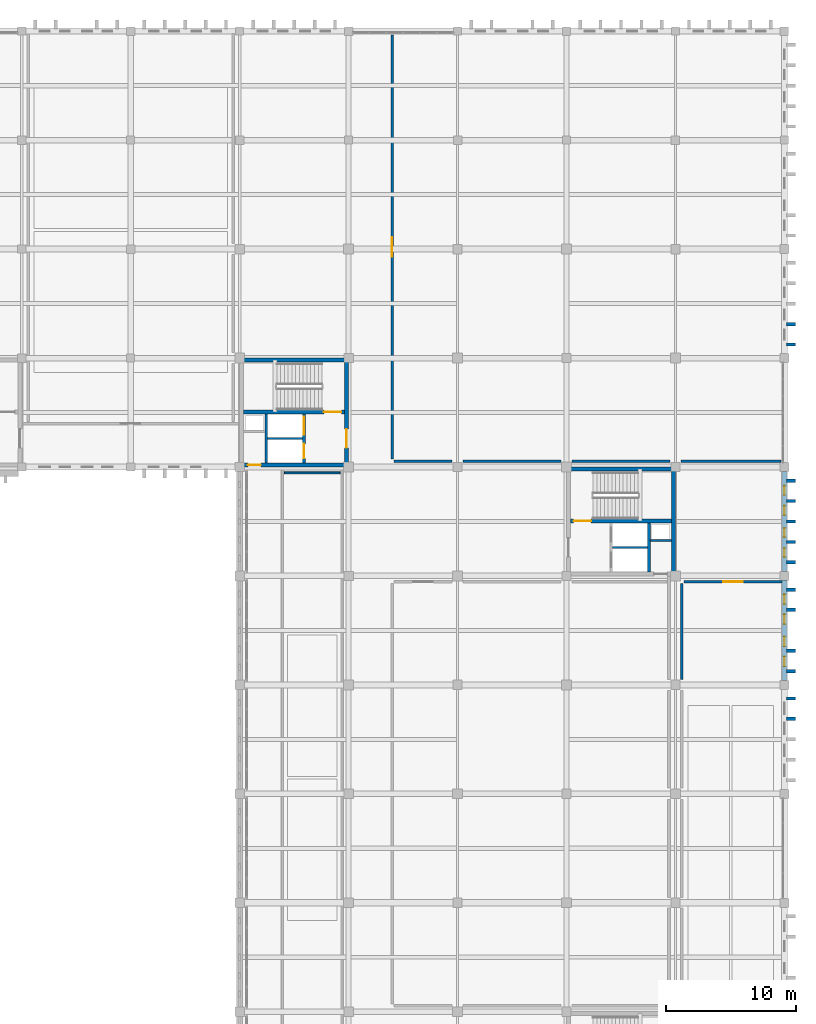
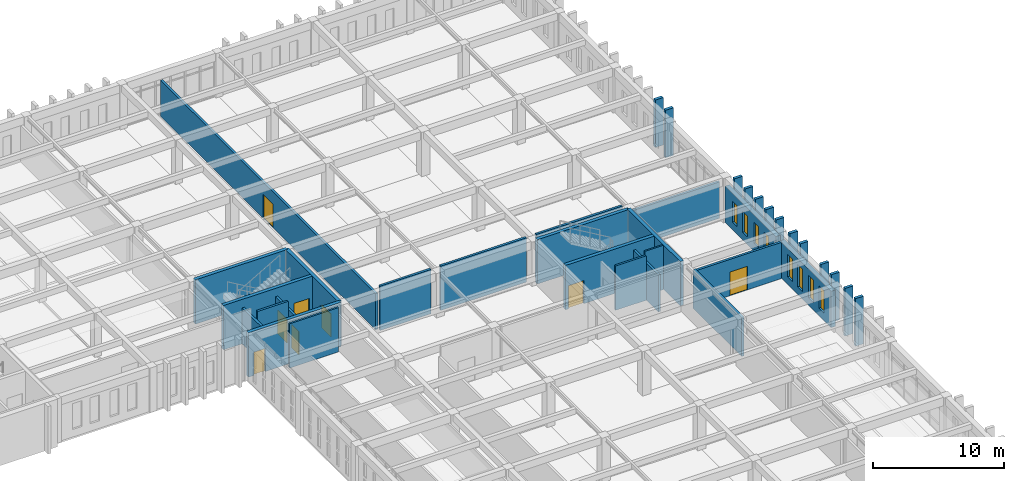
# One storey, part 178 of 192: 36 walls, 8 doors, 8 windows, 16 openings.
"""IFC4 building model written with IfcOpenShell, lengths in metres."""

from ifc_helpers import new_model, si_unit, direction, frame, frame_2d, origin, place, context, subcontext, project, spatial, rectangle, extrude, material, layer, layer_set, type_object, element, fill, save


model = new_model("IFC4")

# Units and contexts
model_context = context("Model", 3, precision=1e-05, world=origin(), true_north=direction((0.0, 1.0)))
body_context = subcontext(model_context, "Body", "Model", "MODEL_VIEW")
ifc_project = project(units=[si_unit("LENGTHUNIT", "METRE"), si_unit("AREAUNIT", "SQUARE_METRE"), si_unit("VOLUMEUNIT", "CUBIC_METRE"), si_unit("PLANEANGLEUNIT", "RADIAN"), si_unit("MASSUNIT", "GRAM", prefix="KILO")], contexts=[model_context])

# Site, building, storey
site_placement = place(None, origin())
site = spatial("IfcSite", under=ifc_project, at=site_placement, CompositionType="ELEMENT")
building_placement = place(site_placement, origin())
building = spatial("IfcBuilding", under=site, at=building_placement, Name="Kveldsbrygga Polytechnic", CompositionType="ELEMENT")
storey_placement = place(building_placement, frame((0.0, 0.0, 5.43994140625)))
storey = spatial("IfcBuildingStorey", under=building, at=storey_placement, Name="L01", CompositionType="ELEMENT", Elevation=5.43994140625)

# Wall, openings, windows
ifc_material_1 = material(Name="Fired clay brick masonry M10", Category="masonry")
ifc_layer_1 = layer(ifc_material_1, 0.3798828125)
ifc_layer_set_1 = layer_set([ifc_layer_1], Name="Fired clay brick masonry M10")
wall_type_1 = type_object("IfcWallType", Name="EW-BRICK-380", PredefinedType="SOLIDWALL", material=ifc_layer_set_1)
wall_1_placement = place(storey_placement, frame((168.0, 75.925048828125, 0.0), z_axis=(0.0, 0.0, 1.0), x_axis=(0.0, 1.0, 0.0)))
wall_1 = element("IfcWall", 1, at=wall_1_placement, inside=storey, type_object=wall_type_1, Name="Exterior Brick Wall EW-L01-Y-20-09", PredefinedType="SOLIDWALL", context=body_context, shape_type="SweptSolid", body=[
    extrude(rectangle(XDim=7.739990234375, YDim=0.3798828125, at=frame_2d((3.8701171875, 0.0))), origin(), (0.0, 0.0, 1.0), 3.3701171875),
])
opening_1_placement = place(wall_1_placement, frame((1.12060546875, 0.0, 0.699951171875)))
opening_1 = element("IfcOpeningElement", 2, at=opening_1_placement, cuts=wall_1, Name="Opening W-28", PredefinedType="OPENING", context=body_context, shape_type="SweptSolid", body=[
    extrude(rectangle(XDim=0.699951171875, YDim=1.949951171875, at=frame_2d((0.35009765625, 0.97509765625))), frame((0.0, 0.199951171875, 0.0), z_axis=(0.0, -1.0, 0.0), x_axis=(1.0, 0.0, 0.0)), (0.0, 0.0, 1.0), 0.39990234375),
])
opening_2_placement = place(wall_1_placement, frame((2.668701171875, 0.0, 0.699951171875)))
opening_2 = element("IfcOpeningElement", 3, at=opening_2_placement, cuts=wall_1, Name="Opening W-28", PredefinedType="OPENING", context=body_context, shape_type="SweptSolid", body=[
    extrude(rectangle(XDim=0.699951171875, YDim=1.949951171875, at=frame_2d((0.35009765625, 0.97509765625))), frame((0.0, 0.199951171875, 0.0), z_axis=(0.0, -1.0, 0.0), x_axis=(1.0, 0.0, 0.0)), (0.0, 0.0, 1.0), 0.39990234375),
])
opening_3_placement = place(wall_1_placement, frame((4.371337890625, 0.0, 0.699951171875)))
opening_3 = element("IfcOpeningElement", 4, at=opening_3_placement, cuts=wall_1, Name="Opening W-28", PredefinedType="OPENING", context=body_context, shape_type="SweptSolid", body=[
    extrude(rectangle(XDim=0.699951171875, YDim=1.949951171875, at=frame_2d((0.35009765625, 0.97509765625))), frame((0.0, 0.199951171875, 0.0), z_axis=(0.0, -1.0, 0.0), x_axis=(1.0, 0.0, 0.0)), (0.0, 0.0, 1.0), 0.39990234375),
])
opening_4_placement = place(wall_1_placement, frame((5.91943359375, 0.0, 0.699951171875)))
opening_4 = element("IfcOpeningElement", 5, at=opening_4_placement, cuts=wall_1, Name="Opening W-28", PredefinedType="OPENING", context=body_context, shape_type="SweptSolid", body=[
    extrude(rectangle(XDim=0.699951171875, YDim=1.949951171875, at=frame_2d((0.35009765625, 0.97509765625))), frame((0.0, 0.199951171875, 0.0), z_axis=(0.0, -1.0, 0.0), x_axis=(1.0, 0.0, 0.0)), (0.0, 0.0, 1.0), 0.39990234375),
])
ifc_material_2 = material(Name="Insulated triple low-E glass", Category="glass")
window_type_1 = type_object("IfcWindowType", Name="WN-ATTIC-070x195", PartitioningType="DOUBLE_PANEL_VERTICAL", PredefinedType="WINDOW", material=ifc_material_2)
window_1_placement = place(opening_1_placement, origin())
window_1 = element("IfcWindow", 6, at=window_1_placement, inside=storey, type_object=window_type_1, Name="Gothic Lancet Window WIN-L01-Y-20-09-1", OverallHeight=1.949951171875, OverallWidth=0.699951171875, PartitioningType="DOUBLE_PANEL_VERTICAL", PredefinedType="WINDOW", context=body_context, shape_type="SweptSolid", body=[
    extrude(rectangle(XDim=0.699951171875, YDim=1.949951171875, at=frame_2d((0.35009765625, 0.97509765625))), frame((0.0, 0.030029296875, 0.0), z_axis=(0.0, -1.0, 0.0), x_axis=(1.0, 0.0, 0.0)), (0.0, 0.0, 1.0), 0.06005859375),
])
fill(opening_1, window_1)
window_2_placement = place(opening_2_placement, origin())
window_2 = element("IfcWindow", 7, at=window_2_placement, inside=storey, type_object=window_type_1, Name="Gothic Lancet Window WIN-L01-Y-20-09-2", OverallHeight=1.949951171875, OverallWidth=0.699951171875, PartitioningType="DOUBLE_PANEL_VERTICAL", PredefinedType="WINDOW", context=body_context, shape_type="SweptSolid", body=[
    extrude(rectangle(XDim=0.699951171875, YDim=1.949951171875, at=frame_2d((0.35009765625, 0.97509765625))), frame((0.0, 0.030029296875, 0.0), z_axis=(0.0, -1.0, 0.0), x_axis=(1.0, 0.0, 0.0)), (0.0, 0.0, 1.0), 0.06005859375),
])
fill(opening_2, window_2)
window_3_placement = place(opening_3_placement, origin())
window_3 = element("IfcWindow", 8, at=window_3_placement, inside=storey, type_object=window_type_1, Name="Gothic Lancet Window WIN-L01-Y-20-09-3", OverallHeight=1.949951171875, OverallWidth=0.699951171875, PartitioningType="DOUBLE_PANEL_VERTICAL", PredefinedType="WINDOW", context=body_context, shape_type="SweptSolid", body=[
    extrude(rectangle(XDim=0.699951171875, YDim=1.949951171875, at=frame_2d((0.35009765625, 0.97509765625))), frame((0.0, 0.030029296875, 0.0), z_axis=(0.0, -1.0, 0.0), x_axis=(1.0, 0.0, 0.0)), (0.0, 0.0, 1.0), 0.06005859375),
])
fill(opening_3, window_3)
window_4_placement = place(opening_4_placement, origin())
window_4 = element("IfcWindow", 9, at=window_4_placement, inside=storey, type_object=window_type_1, Name="Gothic Lancet Window WIN-L01-Y-20-09-4", OverallHeight=1.949951171875, OverallWidth=0.699951171875, PartitioningType="DOUBLE_PANEL_VERTICAL", PredefinedType="WINDOW", context=body_context, shape_type="SweptSolid", body=[
    extrude(rectangle(XDim=0.699951171875, YDim=1.949951171875, at=frame_2d((0.35009765625, 0.97509765625))), frame((0.0, 0.030029296875, 0.0), z_axis=(0.0, -1.0, 0.0), x_axis=(1.0, 0.0, 0.0)), (0.0, 0.0, 1.0), 0.06005859375),
])
fill(opening_4, window_4)

ifc_layer_2 = layer(ifc_material_1, 0.39990234375)
ifc_layer_set_2 = layer_set([ifc_layer_2], Name="Fired clay brick masonry M10")
wall_type_2 = type_object("IfcWallType", Name="EW-BRICK-400", PredefinedType="SOLIDWALL", material=ifc_layer_set_2)
wall_2_placement = place(storey_placement, frame((168.0, 67.534912109375, 0.0), z_axis=(0.0, 0.0, 1.0), x_axis=(0.0, 1.0, 0.0)))
wall_2 = element("IfcWall", 10, at=wall_2_placement, inside=storey, type_object=wall_type_2, Name="Exterior Brick Wall EW-L01-Y-20-08", PredefinedType="SOLIDWALL", context=body_context, shape_type="SweptSolid", body=[
    extrude(rectangle(XDim=7.739990234375, YDim=0.39990234375, at=frame_2d((3.8701171875, 0.0))), origin(), (0.0, 0.0, 1.0), 3.3701171875),
])
opening_5_placement = place(wall_2_placement, frame((1.095703125, 0.0, 0.699951171875)))
opening_5 = element("IfcOpeningElement", 11, at=opening_5_placement, cuts=wall_2, Name="Opening W-27", PredefinedType="OPENING", context=body_context, shape_type="SweptSolid", body=[
    extrude(rectangle(XDim=0.75, YDim=2.10009765625, at=frame_2d((0.375, 1.050048828125))), frame((0.0, 0.2099609375, 0.0), z_axis=(0.0, -1.0, 0.0), x_axis=(1.0, 0.0, 0.0)), (0.0, 0.0, 1.0), 0.419921875),
])
opening_6_placement = place(wall_2_placement, frame((2.6435546875, 0.0, 0.699951171875)))
opening_6 = element("IfcOpeningElement", 12, at=opening_6_placement, cuts=wall_2, Name="Opening W-27", PredefinedType="OPENING", context=body_context, shape_type="SweptSolid", body=[
    extrude(rectangle(XDim=0.75, YDim=2.10009765625, at=frame_2d((0.375, 1.050048828125))), frame((0.0, 0.2099609375, 0.0), z_axis=(0.0, -1.0, 0.0), x_axis=(1.0, 0.0, 0.0)), (0.0, 0.0, 1.0), 0.419921875),
])
opening_7_placement = place(wall_2_placement, frame((4.346435546875, 0.0, 0.699951171875)))
opening_7 = element("IfcOpeningElement", 13, at=opening_7_placement, cuts=wall_2, Name="Opening W-27", PredefinedType="OPENING", context=body_context, shape_type="SweptSolid", body=[
    extrude(rectangle(XDim=0.75, YDim=2.10009765625, at=frame_2d((0.375, 1.050048828125))), frame((0.0, 0.2099609375, 0.0), z_axis=(0.0, -1.0, 0.0), x_axis=(1.0, 0.0, 0.0)), (0.0, 0.0, 1.0), 0.419921875),
])
opening_8_placement = place(wall_2_placement, frame((5.894287109375, 0.0, 0.699951171875)))
opening_8 = element("IfcOpeningElement", 14, at=opening_8_placement, cuts=wall_2, Name="Opening W-27", PredefinedType="OPENING", context=body_context, shape_type="SweptSolid", body=[
    extrude(rectangle(XDim=0.75, YDim=2.10009765625, at=frame_2d((0.375, 1.050048828125))), frame((0.0, 0.2099609375, 0.0), z_axis=(0.0, -1.0, 0.0), x_axis=(1.0, 0.0, 0.0)), (0.0, 0.0, 1.0), 0.419921875),
])
window_type_2 = type_object("IfcWindowType", Name="WN-ATTIC-075x210", PartitioningType="DOUBLE_PANEL_VERTICAL", PredefinedType="WINDOW", material=ifc_material_2)
window_5_placement = place(opening_5_placement, origin())
window_5 = element("IfcWindow", 15, at=window_5_placement, inside=storey, type_object=window_type_2, Name="Gothic Lancet Window WIN-L01-Y-20-08-1", OverallHeight=2.10009765625, OverallWidth=0.75, PartitioningType="DOUBLE_PANEL_VERTICAL", PredefinedType="WINDOW", context=body_context, shape_type="SweptSolid", body=[
    extrude(rectangle(XDim=0.75, YDim=2.10009765625, at=frame_2d((0.375, 1.050048828125))), frame((0.0, 0.030029296875, 0.0), z_axis=(0.0, -1.0, 0.0), x_axis=(1.0, 0.0, 0.0)), (0.0, 0.0, 1.0), 0.06005859375),
])
fill(opening_5, window_5)
window_6_placement = place(opening_6_placement, origin())
window_6 = element("IfcWindow", 16, at=window_6_placement, inside=storey, type_object=window_type_2, Name="Gothic Lancet Window WIN-L01-Y-20-08-2", OverallHeight=2.10009765625, OverallWidth=0.75, PartitioningType="DOUBLE_PANEL_VERTICAL", PredefinedType="WINDOW", context=body_context, shape_type="SweptSolid", body=[
    extrude(rectangle(XDim=0.75, YDim=2.10009765625, at=frame_2d((0.375, 1.050048828125))), frame((0.0, 0.030029296875, 0.0), z_axis=(0.0, -1.0, 0.0), x_axis=(1.0, 0.0, 0.0)), (0.0, 0.0, 1.0), 0.06005859375),
])
fill(opening_6, window_6)
window_7_placement = place(opening_7_placement, origin())
window_7 = element("IfcWindow", 17, at=window_7_placement, inside=storey, type_object=window_type_2, Name="Gothic Lancet Window WIN-L01-Y-20-08-3", OverallHeight=2.10009765625, OverallWidth=0.75, PartitioningType="DOUBLE_PANEL_VERTICAL", PredefinedType="WINDOW", context=body_context, shape_type="SweptSolid", body=[
    extrude(rectangle(XDim=0.75, YDim=2.10009765625, at=frame_2d((0.375, 1.050048828125))), frame((0.0, 0.030029296875, 0.0), z_axis=(0.0, -1.0, 0.0), x_axis=(1.0, 0.0, 0.0)), (0.0, 0.0, 1.0), 0.06005859375),
])
fill(opening_7, window_7)
window_8_placement = place(opening_8_placement, origin())
window_8 = element("IfcWindow", 18, at=window_8_placement, inside=storey, type_object=window_type_2, Name="Gothic Lancet Window WIN-L01-Y-20-08-4", OverallHeight=2.10009765625, OverallWidth=0.75, PartitioningType="DOUBLE_PANEL_VERTICAL", PredefinedType="WINDOW", context=body_context, shape_type="SweptSolid", body=[
    extrude(rectangle(XDim=0.75, YDim=2.10009765625, at=frame_2d((0.375, 1.050048828125))), frame((0.0, 0.030029296875, 0.0), z_axis=(0.0, -1.0, 0.0), x_axis=(1.0, 0.0, 0.0)), (0.0, 0.0, 1.0), 0.06005859375),
])
fill(opening_8, window_8)

# Walls
ifc_layer_3 = layer(ifc_material_1, 0.260009765625)
ifc_layer_set_3 = layer_set([ifc_layer_3], Name="Fired clay brick masonry M10")
wall_type_3 = type_object("IfcWallType", Name="EW-BUTT-260", PredefinedType="SOLIDWALL", material=ifc_layer_set_3)
for number, where, z_axis, x_axis, name in (
    (19, (168.1650390625, 64.580078125, 0.0), (0.0, 0.0, 1.0), (1.0, 0.0, 0.0), "Gothic Brick Buttress Pier BUTT-L01-Y-20-07-4"),
    (20, (168.1650390625, 66.14990234375, 0.0), (0.0, 0.0, 1.0), (1.0, 0.0, 0.0), "Gothic Brick Buttress Pier BUTT-L01-Y-20-07-5"),
    (21, (168.1650390625, 68.25, 0.0), (0.0, 0.0, 1.0), (1.0, 0.0, 0.0), "Gothic Brick Buttress Pier BUTT-L01-Y-20-08-1"),
    (22, (168.1650390625, 69.820068359375, 0.0), (0.0, 0.0, 1.0), (1.0, 0.0, 0.0), "Gothic Brick Buttress Pier BUTT-L01-Y-20-08-2"),
    (23, (168.1650390625, 72.97998046875, 0.0), (0.0, 0.0, 1.0), (1.0, 0.0, 0.0), "Gothic Brick Buttress Pier BUTT-L01-Y-20-08-4"),
    (24, (168.1650390625, 74.550048828125, 0.0), (0.0, 0.0, 1.0), (1.0, 0.0, 0.0), "Gothic Brick Buttress Pier BUTT-L01-Y-20-08-5"),
    (25, (168.1650390625, 76.64990234375, 0.0), (0.0, 0.0, 1.0), (1.0, 0.0, 0.0), "Gothic Brick Buttress Pier BUTT-L01-Y-20-09-1"),
    (26, (168.1650390625, 78.219970703125, 0.0), (0.0, 0.0, 1.0), (1.0, 0.0, 0.0), "Gothic Brick Buttress Pier BUTT-L01-Y-20-09-2"),
    (27, (168.1650390625, 79.800048828125, 0.0), (0.0, 0.0, 1.0), (1.0, 0.0, 0.0), "Gothic Brick Buttress Pier BUTT-L01-Y-20-09-3"),
    (28, (168.1650390625, 81.3798828125, 0.0), (0.0, 0.0, 1.0), (1.0, 0.0, 0.0), "Gothic Brick Buttress Pier BUTT-L01-Y-20-09-4"),
    (29, (168.1650390625, 82.949951171875, 0.0), (0.0, 0.0, 1.0), (1.0, 0.0, 0.0), "Gothic Brick Buttress Pier BUTT-L01-Y-20-09-5"),
    (30, (168.1650390625, 93.449951171875, 0.0), (0.0, 0.0, 1.0), (1.0, 0.0, 0.0), "Gothic Brick Buttress Pier BUTT-L01-Y-20-11-1"),
    (31, (168.1650390625, 95.02001953125, 0.0), (0.0, 0.0, 1.0), (1.0, 0.0, 0.0), "Gothic Brick Buttress Pier BUTT-L01-Y-20-11-2"),
):
    element("IfcWall", number, at=place(storey_placement, frame(where, z_axis=z_axis, x_axis=x_axis)), inside=storey, type_object=wall_type_3, Name=name, PredefinedType="SOLIDWALL", context=body_context, shape_type="SweptSolid", body=[
        extrude(rectangle(XDim=0.699951171875, YDim=0.260009765625, at=frame_2d((0.35009765625, 0.0))), origin(), (0.0, 0.0, 1.0), 4.420166015625),
    ])

# Wall, opening, door
ifc_layer_4 = layer(ifc_material_1, 0.199951171875)
ifc_layer_set_4 = layer_set([ifc_layer_4], Name="Fired clay brick masonry M10")
wall_type_4 = type_object("IfcWallType", Name="IW-LAB-200", PredefinedType="PARTITIONING", material=ifc_layer_set_4)
wall_3_placement = place(storey_placement, frame((160.25, 75.14990234375, 0.0), z_axis=(0.0, 0.0, 1.0), x_axis=(1.0, 0.0, 0.0)))
wall_3 = element("IfcWall", 32, at=wall_3_placement, inside=storey, type_object=wall_type_4, Name="Partition Wall IW-SP-L01-LAB12-N1", PredefinedType="PARTITIONING", context=body_context, shape_type="SweptSolid", body=[
    extrude(rectangle(XDim=7.570068359375, YDim=0.199951171875, at=frame_2d((3.78515625, 0.0))), origin(), (0.0, 0.0, 1.0), 3.3701171875),
])
opening_9_placement = place(wall_3_placement, frame((3.034912109375, 0.0, 0.0)))
opening_9 = element("IfcOpeningElement", 33, at=opening_9_placement, cuts=wall_3, Name="Opening ID-L01-055", PredefinedType="OPENING", context=body_context, shape_type="SweptSolid", body=[
    extrude(rectangle(XDim=1.5, YDim=2.199951171875, at=frame_2d((0.75, 1.10009765625))), frame((0.0, 0.10986328125, 0.0), z_axis=(0.0, -1.0, 0.0), x_axis=(1.0, 0.0, 0.0)), (0.0, 0.0, 1.0), 0.219970703125),
])
ifc_material_3 = material(Name="Acoustic oak timber", Category="wood")
door_type_1 = type_object("IfcDoorType", Name="ID-LAB-150x220", OperationType="DOUBLE_DOOR_SINGLE_SWING", PredefinedType="DOOR", material=ifc_material_3)
door_1_placement = place(opening_9_placement, origin())
door_1 = element("IfcDoor", 34, at=door_1_placement, inside=storey, type_object=door_type_1, Name="Interior Door ID-L01-055", OperationType="DOUBLE_DOOR_SINGLE_SWING", OverallHeight=2.199951171875, OverallWidth=1.5, PredefinedType="DOOR", context=body_context, shape_type="SweptSolid", body=[
    extrude(rectangle(XDim=1.5, YDim=2.199951171875, at=frame_2d((0.75, 1.10009765625))), frame((0.0, 0.02490234375, 0.0), z_axis=(0.0, -1.0, 0.0), x_axis=(1.0, 0.0, 0.0)), (0.0, 0.0, 1.0), 0.050048828125),
])
fill(opening_9, door_1)

# Wall
wall_4_placement = place(storey_placement, frame((160.10009765625, 67.6201171875, 0.0), z_axis=(0.0, 0.0, 1.0), x_axis=(0.0, 1.0, 0.0)))
element("IfcWall", 35, at=wall_4_placement, inside=storey, type_object=wall_type_4, Name="Partition Wall IW-SP-L01-LAB12-W5", PredefinedType="PARTITIONING", context=body_context, shape_type="SweptSolid", body=[
    extrude(rectangle(XDim=7.3798828125, YDim=0.199951171875, at=frame_2d((3.68994140625, 0.0))), origin(), (0.0, 0.0, 1.0), 3.6201171875),
])

# Wall, opening, door
wall_5_placement = place(storey_placement, frame((137.75, 84.60009765625, 0.0), z_axis=(0.0, 0.0, 1.0), x_axis=(0.0, 1.0, 0.0)))
wall_5 = element("IfcWall", 36, at=wall_5_placement, inside=storey, type_object=wall_type_4, Name="Partition Wall IW-SP-L01-LAB13-W1", PredefinedType="PARTITIONING", context=body_context, shape_type="SweptSolid", body=[
    extrude(rectangle(XDim=32.719970703125, YDim=0.199951171875, at=frame_2d((16.35986328125, 0.0))), origin(), (0.0, 0.0, 1.0), 3.340087890625),
])
opening_10_placement = place(wall_5_placement, frame((15.610107421875, 0.0, 0.0)))
opening_10 = element("IfcOpeningElement", 37, at=opening_10_placement, cuts=wall_5, Name="Opening ID-L01-057", PredefinedType="OPENING", context=body_context, shape_type="SweptSolid", body=[
    extrude(rectangle(XDim=1.5, YDim=2.199951171875, at=frame_2d((0.75, 1.10009765625))), frame((0.0, 0.10986328125, 0.0), z_axis=(0.0, -1.0, 0.0), x_axis=(1.0, 0.0, 0.0)), (0.0, 0.0, 1.0), 0.219970703125),
])
door_2_placement = place(opening_10_placement, origin())
door_2 = element("IfcDoor", 38, at=door_2_placement, inside=storey, type_object=door_type_1, Name="Interior Door ID-L01-057", OperationType="DOUBLE_DOOR_SINGLE_SWING", OverallHeight=2.199951171875, OverallWidth=1.5, PredefinedType="DOOR", context=body_context, shape_type="SweptSolid", body=[
    extrude(rectangle(XDim=1.5, YDim=2.199951171875, at=frame_2d((0.75, 1.10009765625))), frame((0.0, 0.02490234375, 0.0), z_axis=(0.0, -1.0, 0.0), x_axis=(1.0, 0.0, 0.0)), (0.0, 0.0, 1.0), 0.050048828125),
])
fill(opening_10, door_2)

# Walls
wall_6_placement = place(storey_placement, frame((137.89990234375, 84.449951171875, 0.0), z_axis=(0.0, 0.0, 1.0), x_axis=(1.0, 0.0, 0.0)))
element("IfcWall", 39, at=wall_6_placement, inside=storey, type_object=wall_type_4, Name="Partition Wall IW-SP-L01-LAB13-S1", PredefinedType="PARTITIONING", context=body_context, shape_type="SweptSolid", body=[
    extrude(rectangle(XDim=4.47998046875, YDim=0.199951171875, at=frame_2d((2.239990234375, 0.0))), origin(), (0.0, 0.0, 1.0), 4.1201171875),
])
for number, where, z_axis, x_axis, name in (
    (40, (143.219970703125, 84.449951171875, 0.0), (0.0, 0.0, 1.0), (1.0, 0.0, 0.0), "Partition Wall IW-SP-L01-LAB13-S2"),
    (41, (151.635009765625, 84.449951171875, 0.0), (0.0, 0.0, 1.0), (1.0, 0.0, 0.0), "Partition Wall IW-SP-L01-LAB13-S3"),
):
    element("IfcWall", number, at=place(storey_placement, frame(where, z_axis=z_axis, x_axis=x_axis)), inside=storey, type_object=wall_type_4, Name=name, PredefinedType="PARTITIONING", context=body_context, shape_type="SweptSolid", body=[
        extrude(rectangle(XDim=7.544921875, YDim=0.199951171875, at=frame_2d((3.7724609375, 0.0))), origin(), (0.0, 0.0, 1.0), 4.1201171875),
    ])
wall_7_placement = place(storey_placement, frame((160.02001953125, 84.449951171875, 0.0), z_axis=(0.0, 0.0, 1.0), x_axis=(1.0, 0.0, 0.0)))
element("IfcWall", 42, at=wall_7_placement, inside=storey, type_object=wall_type_4, Name="Partition Wall IW-SP-L01-LAB13-S4", PredefinedType="PARTITIONING", context=body_context, shape_type="SweptSolid", body=[
    extrude(rectangle(XDim=7.699951171875, YDim=0.199951171875, at=frame_2d((3.85009765625, 0.0))), origin(), (0.0, 0.0, 1.0), 3.3701171875),
])
ifc_material_4 = material(Name="Moisture-resistant masonry M10", Category="masonry")
ifc_layer_5 = layer(ifc_material_4, 0.1298828125)
ifc_layer_set_5 = layer_set([ifc_layer_5], Name="Moisture-resistant masonry M10")
wall_type_5 = type_object("IfcWallType", Name="IW-SAN-130", PredefinedType="PARTITIONING", material=ifc_layer_set_5)
wall_8_placement = place(storey_placement, frame((157.659912109375, 78.340087890625, 0.0), z_axis=(0.0, 0.0, 1.0), x_axis=(1.0, 0.0, 0.0)))
element("IfcWall", 43, at=wall_8_placement, inside=storey, type_object=wall_type_5, Name="Core AWC Divider C4-L01-W-RSR", PredefinedType="PARTITIONING", context=body_context, shape_type="SweptSolid", body=[
    extrude(rectangle(XDim=1.6201171875, YDim=0.1298828125, at=frame_2d((0.81005859375, 0.0))), origin(), (0.0, 0.0, 1.0), 4.1201171875),
])
ifc_material_5 = material(Name="Gypsum acoustic stud partition")
ifc_layer_6 = layer(ifc_material_5, 0.14990234375)
ifc_layer_set_6 = layer_set([ifc_layer_6], Name="Gypsum acoustic stud partition")
wall_type_6 = type_object("IfcWallType", Name="IW-SEM-150", PredefinedType="PARTITIONING", material=ifc_layer_set_6)
wall_9_placement = place(storey_placement, frame((129.449951171875, 83.550048828125, 0.0), z_axis=(0.0, 0.0, 1.0), x_axis=(1.0, 0.0, 0.0)))
element("IfcWall", 44, at=wall_9_placement, inside=storey, type_object=wall_type_6, Name="Partition Wall IW-SP-L01-SEM13-N1", PredefinedType="PARTITIONING", context=body_context, shape_type="SweptSolid", body=[
    extrude(rectangle(XDim=4.300048828125, YDim=0.14990234375, at=frame_2d((2.14990234375, 0.0))), origin(), (0.0, 0.0, 1.0), 4.1201171875),
])

# Wall, opening, door
ifc_material_6 = material(Name="Concrete C45/55", Category="concrete")
ifc_layer_7 = layer(ifc_material_6, 0.300048828125)
ifc_layer_set_7 = layer_set([ifc_layer_7], Name="Concrete C45/55")
wall_type_7 = type_object("IfcWallType", Name="WL-CORE-300", PredefinedType="SHEAR", material=ifc_layer_set_7)
wall_10_placement = place(storey_placement, frame((126.14990234375, 84.14990234375, 0.0), z_axis=(0.0, 0.0, 1.0), x_axis=(1.0, 0.0, 0.0)))
wall_10 = element("IfcWall", 45, at=wall_10_placement, inside=storey, type_object=wall_type_7, Name="Core C2 Shear Wall C2-L01-SW-S", PredefinedType="SHEAR", context=body_context, shape_type="SweptSolid", body=[
    extrude(rectangle(XDim=8.10009765625, YDim=0.300048828125, at=frame_2d((4.050048828125, 0.0))), origin(), (0.0, 0.0, 1.0), 4.1201171875),
])
opening_11_placement = place(wall_10_placement, frame((0.485107421875, 0.0, 0.0)))
opening_11 = element("IfcOpeningElement", 46, at=opening_11_placement, cuts=wall_10, Name="Opening ID-C2-L01-AWC", PredefinedType="OPENING", context=body_context, shape_type="SweptSolid", body=[
    extrude(rectangle(XDim=1.0, YDim=2.14990234375, at=frame_2d((0.5, 1.074951171875))), frame((0.0, 0.16015625, 0.0), z_axis=(0.0, -1.0, 0.0), x_axis=(1.0, 0.0, 0.0)), (0.0, 0.0, 1.0), 0.320068359375),
])
door_type_2 = type_object("IfcDoorType", Name="ID-AWC-100x215", OperationType="NOTDEFINED", PredefinedType="DOOR", material=ifc_material_3)
door_3_placement = place(opening_11_placement, origin())
door_3 = element("IfcDoor", 47, at=door_3_placement, inside=storey, type_object=door_type_2, Name="Accessible WC Door ID-C2-L01-AWC", OperationType="SINGLE_SWING_RIGHT", OverallHeight=2.14990234375, OverallWidth=1.0, PredefinedType="DOOR", context=body_context, shape_type="SweptSolid", body=[
    extrude(rectangle(XDim=1.0, YDim=2.14990234375, at=frame_2d((0.5, 1.074951171875))), frame((0.0, 0.02490234375, 0.0), z_axis=(0.0, -1.0, 0.0), x_axis=(1.0, 0.0, 0.0)), (0.0, 0.0, 1.0), 0.050048828125),
])
fill(opening_11, door_3)

# Wall
wall_11_placement = place(storey_placement, frame((126.14990234375, 92.25, 0.0), z_axis=(0.0, 0.0, 1.0), x_axis=(1.0, 0.0, 0.0)))
element("IfcWall", 48, at=wall_11_placement, inside=storey, type_object=wall_type_7, Name="Core C2 Shear Wall C2-L01-SW-N", PredefinedType="SHEAR", context=body_context, shape_type="SweptSolid", body=[
    extrude(rectangle(XDim=8.10009765625, YDim=0.300048828125, at=frame_2d((4.050048828125, 0.0))), origin(), (0.0, 0.0, 1.0), 4.1201171875),
])

# Wall, opening, door
wall_12_placement = place(storey_placement, frame((134.25, 84.14990234375, 0.0), z_axis=(0.0, 0.0, 1.0), x_axis=(0.0, 1.0, 0.0)))
wall_12 = element("IfcWall", 49, at=wall_12_placement, inside=storey, type_object=wall_type_7, Name="Core C2 Shear Wall C2-L01-SW-E", PredefinedType="SHEAR", context=body_context, shape_type="SweptSolid", body=[
    extrude(rectangle(XDim=8.10009765625, YDim=0.300048828125, at=frame_2d((4.050048828125, 0.0))), origin(), (0.0, 0.0, 1.0), 4.1201171875),
])
opening_12_placement = place(wall_12_placement, frame((1.324951171875, 0.0, 0.0)))
opening_12 = element("IfcOpeningElement", 50, at=opening_12_placement, cuts=wall_12, Name="Opening FD-C2-L01-LOB", PredefinedType="OPENING", context=body_context, shape_type="SweptSolid", body=[
    extrude(rectangle(XDim=1.449951171875, YDim=2.14990234375, at=frame_2d((0.72509765625, 1.074951171875))), frame((0.0, 0.16015625, 0.0), z_axis=(0.0, -1.0, 0.0), x_axis=(1.0, 0.0, 0.0)), (0.0, 0.0, 1.0), 0.320068359375),
])
ifc_material_7 = material(Name="Powder-coated galvanised steel", Category="steel")
door_type_3 = type_object("IfcDoorType", Name="ID-LOBBY-145x215", OperationType="DOUBLE_DOOR_SINGLE_SWING", PredefinedType="DOOR", material=ifc_material_7)
door_4_placement = place(opening_12_placement, origin())
door_4 = element("IfcDoor", 51, at=door_4_placement, inside=storey, type_object=door_type_3, Name="Core Lobby Fire Door FD-C2-L01-LOB", OperationType="DOUBLE_DOOR_SINGLE_SWING", OverallHeight=2.14990234375, OverallWidth=1.449951171875, PredefinedType="DOOR", context=body_context, shape_type="SweptSolid", body=[
    extrude(rectangle(XDim=1.449951171875, YDim=2.14990234375, at=frame_2d((0.72509765625, 1.074951171875))), frame((0.0, 0.02490234375, 0.0), z_axis=(0.0, -1.0, 0.0), x_axis=(1.0, 0.0, 0.0)), (0.0, 0.0, 1.0), 0.050048828125),
])
fill(opening_12, door_4)

wall_13_placement = place(storey_placement, frame((126.300048828125, 88.22998046875, 0.0), z_axis=(0.0, 0.0, 1.0), x_axis=(1.0, 0.0, 0.0)))
wall_13 = element("IfcWall", 52, at=wall_13_placement, inside=storey, type_object=wall_type_7, Name="Core C2 Shear Wall C2-L01-W-DIV", PredefinedType="SHEAR", context=body_context, shape_type="SweptSolid", body=[
    extrude(rectangle(XDim=7.800048828125, YDim=0.300048828125, at=frame_2d((3.89990234375, 0.0))), origin(), (0.0, 0.0, 1.0), 4.1201171875),
])
opening_13_placement = place(wall_13_placement, frame((6.199951171875, 0.0, 0.0)))
opening_13 = element("IfcOpeningElement", 53, at=opening_13_placement, cuts=wall_13, Name="Opening FD-C2-L01-ST", PredefinedType="OPENING", context=body_context, shape_type="SweptSolid", body=[
    extrude(rectangle(XDim=1.35009765625, YDim=2.14990234375, at=frame_2d((0.675048828125, 1.074951171875))), frame((0.0, 0.16015625, 0.0), z_axis=(0.0, -1.0, 0.0), x_axis=(1.0, 0.0, 0.0)), (0.0, 0.0, 1.0), 0.320068359375),
])
door_type_4 = type_object("IfcDoorType", Name="ID-STAIR-135x215", OperationType="NOTDEFINED", PredefinedType="DOOR", material=ifc_material_7)
door_5_placement = place(opening_13_placement, origin())
door_5 = element("IfcDoor", 54, at=door_5_placement, inside=storey, type_object=door_type_4, Name="Stair Fire Door FD-C2-L01-ST", OperationType="SINGLE_SWING_LEFT", OverallHeight=2.14990234375, OverallWidth=1.35009765625, PredefinedType="DOOR", context=body_context, shape_type="SweptSolid", body=[
    extrude(rectangle(XDim=1.35009765625, YDim=2.14990234375, at=frame_2d((0.675048828125, 1.074951171875))), frame((0.0, 0.02490234375, 0.0), z_axis=(0.0, -1.0, 0.0), x_axis=(1.0, 0.0, 0.0)), (0.0, 0.0, 1.0), 0.050048828125),
])
fill(opening_13, door_5)

# Walls
wall_14_placement = place(storey_placement, frame((151.35009765625, 83.85009765625, 0.0), z_axis=(0.0, 0.0, 1.0), x_axis=(1.0, 0.0, 0.0)))
element("IfcWall", 55, at=wall_14_placement, inside=storey, type_object=wall_type_7, Name="Core C4 Shear Wall C4-L01-SW-N", PredefinedType="SHEAR", context=body_context, shape_type="SweptSolid", body=[
    extrude(rectangle(XDim=8.099853515625, YDim=0.300048828125, at=frame_2d((4.0498046875, 0.0))), origin(), (0.0, 0.0, 1.0), 4.1201171875),
])
wall_15_placement = place(storey_placement, frame((159.449951171875, 75.75, 0.0), z_axis=(0.0, 0.0, 1.0), x_axis=(0.0, 1.0, 0.0)))
element("IfcWall", 56, at=wall_15_placement, inside=storey, type_object=wall_type_7, Name="Core C4 Shear Wall C4-L01-SW-E", PredefinedType="SHEAR", context=body_context, shape_type="SweptSolid", body=[
    extrude(rectangle(XDim=8.10009765625, YDim=0.300048828125, at=frame_2d((4.050048828125, 0.0))), origin(), (0.0, 0.0, 1.0), 4.1201171875),
])

# Wall, opening, door
wall_16_placement = place(storey_placement, frame((151.5, 79.830078125, 0.0), z_axis=(0.0, 0.0, 1.0), x_axis=(1.0, 0.0, 0.0)))
wall_16 = element("IfcWall", 57, at=wall_16_placement, inside=storey, type_object=wall_type_7, Name="Core C4 Shear Wall C4-L01-W-DIV", PredefinedType="SHEAR", context=body_context, shape_type="SweptSolid", body=[
    extrude(rectangle(XDim=7.800048828125, YDim=0.300048828125, at=frame_2d((3.89990234375, 0.0))), origin(), (0.0, 0.0, 1.0), 4.1201171875),
])
opening_14_placement = place(wall_16_placement, frame((0.25, 0.0, 0.0)))
opening_14 = element("IfcOpeningElement", 58, at=opening_14_placement, cuts=wall_16, Name="Opening FD-C4-L01-ST", PredefinedType="OPENING", context=body_context, shape_type="SweptSolid", body=[
    extrude(rectangle(XDim=1.35009765625, YDim=2.14990234375, at=frame_2d((0.675048828125, 1.074951171875))), frame((0.0, 0.16015625, 0.0), z_axis=(0.0, -1.0, 0.0), x_axis=(1.0, 0.0, 0.0)), (0.0, 0.0, 1.0), 0.320068359375),
])
door_6_placement = place(opening_14_placement, origin())
door_6 = element("IfcDoor", 59, at=door_6_placement, inside=storey, type_object=door_type_4, Name="Stair Fire Door FD-C4-L01-ST", OperationType="SINGLE_SWING_LEFT", OverallHeight=2.14990234375, OverallWidth=1.35009765625, PredefinedType="DOOR", context=body_context, shape_type="SweptSolid", body=[
    extrude(rectangle(XDim=1.35009765625, YDim=2.14990234375, at=frame_2d((0.675048828125, 1.074951171875))), frame((0.0, 0.02490234375, 0.0), z_axis=(0.0, -1.0, 0.0), x_axis=(1.0, 0.0, 0.0)), (0.0, 0.0, 1.0), 0.050048828125),
])
fill(opening_14, door_6)

# Walls
ifc_material_8 = material(Name="Concrete C35/45", Category="concrete")
ifc_layer_8 = layer(ifc_material_8, 0.179931640625)
ifc_layer_set_8 = layer_set([ifc_layer_8], Name="Concrete C35/45")
wall_type_8 = type_object("IfcWallType", Name="WL-SHFT-180", PredefinedType="SHEAR", material=ifc_layer_set_8)
wall_17_placement = place(storey_placement, frame((128.14990234375, 86.199951171875, 0.0), z_axis=(0.0, 0.0, 1.0), x_axis=(1.0, 0.0, 0.0)))
element("IfcWall", 60, at=wall_17_placement, inside=storey, type_object=wall_type_8, Name="Lift Divider Wall C2-L01-W-LMID", PredefinedType="SHEAR", context=body_context, shape_type="SweptSolid", body=[
    extrude(rectangle(XDim=2.7001953125, YDim=0.179931640625, at=frame_2d((1.35009765625, 0.0))), origin(), (0.0, 0.0, 1.0), 4.1201171875),
])
wall_18_placement = place(storey_placement, frame((154.75, 77.800048828125, 0.0), z_axis=(0.0, 0.0, 1.0), x_axis=(1.0, 0.0, 0.0)))
element("IfcWall", 61, at=wall_18_placement, inside=storey, type_object=wall_type_8, Name="Lift Divider Wall C4-L01-W-LMID", PredefinedType="SHEAR", context=body_context, shape_type="SweptSolid", body=[
    extrude(rectangle(XDim=2.699951171875, YDim=0.179931640625, at=frame_2d((1.35009765625, 0.0))), origin(), (0.0, 0.0, 1.0), 4.1201171875),
])

# Wall, openings, doors
ifc_layer_9 = layer(ifc_material_8, 0.199951171875)
ifc_layer_set_9 = layer_set([ifc_layer_9], Name="Concrete C35/45")
wall_type_9 = type_object("IfcWallType", Name="WL-SHFT-200", PredefinedType="SHEAR", material=ifc_layer_set_9)
wall_19_placement = place(storey_placement, frame((130.9599609375, 84.300048828125, 0.0), z_axis=(0.0, 0.0, 1.0), x_axis=(0.0, 1.0, 0.0)))
wall_19 = element("IfcWall", 62, at=wall_19_placement, inside=storey, type_object=wall_type_9, Name="Lift Front Wall C2-L01-W-LFR", PredefinedType="SHEAR", context=body_context, shape_type="SweptSolid", body=[
    extrude(rectangle(XDim=3.800048828125, YDim=0.199951171875, at=frame_2d((1.89990234375, 0.0))), origin(), (0.0, 0.0, 1.0), 3.340087890625),
])
opening_15_placement = place(wall_19_placement, frame((0.375, 0.0, 0.0)))
opening_15 = element("IfcOpeningElement", 63, at=opening_15_placement, cuts=wall_19, Name="Opening LD-LP-2", PredefinedType="OPENING", context=body_context, shape_type="SweptSolid", body=[
    extrude(rectangle(XDim=1.10009765625, YDim=2.14990234375, at=frame_2d((0.550048828125, 1.074951171875))), frame((0.0, 0.10986328125, 0.0), z_axis=(0.0, -1.0, 0.0), x_axis=(1.0, 0.0, 0.0)), (0.0, 0.0, 1.0), 0.219970703125),
])
opening_16_placement = place(wall_19_placement, frame((2.175048828125, 0.0, 0.0)))
opening_16 = element("IfcOpeningElement", 64, at=opening_16_placement, cuts=wall_19, Name="Opening LD-GL-1", PredefinedType="OPENING", context=body_context, shape_type="SweptSolid", body=[
    extrude(rectangle(XDim=1.39990234375, YDim=2.199951171875, at=frame_2d((0.699951171875, 1.10009765625))), frame((0.0, 0.10986328125, 0.0), z_axis=(0.0, -1.0, 0.0), x_axis=(1.0, 0.0, 0.0)), (0.0, 0.0, 1.0), 0.219970703125),
])
ifc_material_9 = material(Name="Brushed stainless steel EN 1.4401", Category="steel")
door_type_5 = type_object("IfcDoorType", Name="LD-GDS-140x220", OperationType="SLIDING_TO_LEFT", PredefinedType="DOOR", material=ifc_material_9)
door_7_placement = place(opening_16_placement, origin())
door_7 = element("IfcDoor", 65, at=door_7_placement, inside=storey, type_object=door_type_5, Name="Lift Landing Sliding Door LD-GL-1-L01", OperationType="SLIDING_TO_LEFT", OverallHeight=2.199951171875, OverallWidth=1.39990234375, PredefinedType="DOOR", context=body_context, shape_type="SweptSolid", body=[
    extrude(rectangle(XDim=1.39990234375, YDim=2.199951171875, at=frame_2d((0.699951171875, 1.10009765625))), frame((0.0, 0.02490234375, 0.0), z_axis=(0.0, -1.0, 0.0), x_axis=(1.0, 0.0, 0.0)), (0.0, 0.0, 1.0), 0.050048828125),
])
fill(opening_16, door_7)
door_type_6 = type_object("IfcDoorType", Name="LD-PAX-110x215", OperationType="SLIDING_TO_LEFT", PredefinedType="DOOR", material=ifc_material_9)
door_8_placement = place(opening_15_placement, origin())
door_8 = element("IfcDoor", 66, at=door_8_placement, inside=storey, type_object=door_type_6, Name="Lift Landing Sliding Door LD-LP-2-L01", OperationType="SLIDING_TO_LEFT", OverallHeight=2.14990234375, OverallWidth=1.10009765625, PredefinedType="DOOR", context=body_context, shape_type="SweptSolid", body=[
    extrude(rectangle(XDim=1.10009765625, YDim=2.14990234375, at=frame_2d((0.550048828125, 1.074951171875))), frame((0.0, 0.02490234375, 0.0), z_axis=(0.0, -1.0, 0.0), x_axis=(1.0, 0.0, 0.0)), (0.0, 0.0, 1.0), 0.050048828125),
])
fill(opening_15, door_8)

# Walls
wall_20_placement = place(storey_placement, frame((128.0400390625, 84.300048828125, 0.0), z_axis=(0.0, 0.0, 1.0), x_axis=(0.0, 1.0, 0.0)))
element("IfcWall", 67, at=wall_20_placement, inside=storey, type_object=wall_type_9, Name="Lift Back Wall C2-L01-W-LBK", PredefinedType="SHEAR", context=body_context, shape_type="SweptSolid", body=[
    extrude(rectangle(XDim=3.800048828125, YDim=0.199951171875, at=frame_2d((1.89990234375, 0.0))), origin(), (0.0, 0.0, 1.0), 3.340087890625),
])
wall_21_placement = place(storey_placement, frame((157.56005859375, 75.89990234375, 0.0), z_axis=(0.0, 0.0, 1.0), x_axis=(0.0, 1.0, 0.0)))
element("IfcWall", 68, at=wall_21_placement, inside=storey, type_object=wall_type_9, Name="Lift Back Wall C4-L01-W-LBK", PredefinedType="SHEAR", context=body_context, shape_type="SweptSolid", body=[
    extrude(rectangle(XDim=3.800048828125, YDim=0.199951171875, at=frame_2d((1.89990234375, 0.0))), origin(), (0.0, 0.0, 1.0), 3.43994140625),
])

save(model, "model.ifc")
